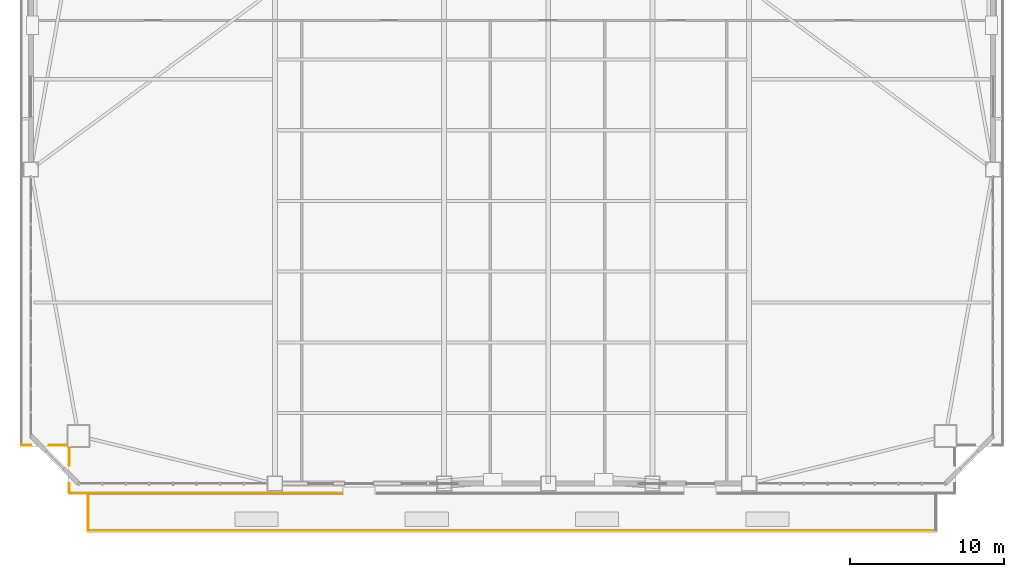
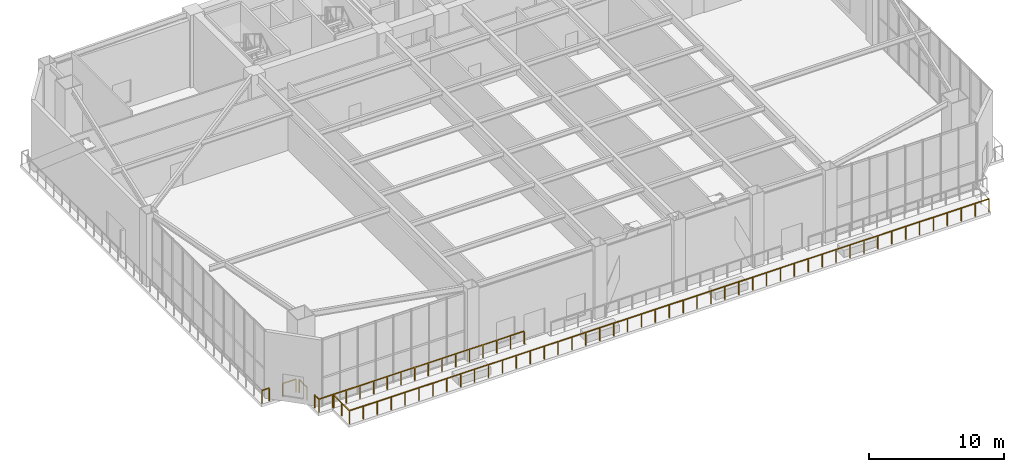
# One storey, part 18 of 22: 7 railings.
"""IFC4 building model written with IfcOpenShell, lengths in metres."""

from ifc_helpers import new_model, si_unit, direction, frame, origin, origin_2d, place, context, subcontext, project, spatial, rectangle, extrude, material, type_object, element, save


model = new_model("IFC4")

# Units and contexts
model_context = context("Model", 3, precision=1e-05, world=origin(), true_north=direction((0.0, 1.0)))
body_context = subcontext(model_context, "Body", "Model", "MODEL_VIEW")
ifc_project = project(units=[si_unit("LENGTHUNIT", "METRE"), si_unit("AREAUNIT", "SQUARE_METRE"), si_unit("VOLUMEUNIT", "CUBIC_METRE"), si_unit("PLANEANGLEUNIT", "RADIAN"), si_unit("MASSUNIT", "GRAM", prefix="KILO")], contexts=[model_context])

# Site, building, storey
site_placement = place(None, origin())
site = spatial("IfcSite", under=ifc_project, at=site_placement, CompositionType="ELEMENT")
building_placement = place(site_placement, origin())
building = spatial("IfcBuilding", under=site, at=building_placement, Name="Giltprow Tower", CompositionType="ELEMENT")
storey_placement = place(building_placement, frame((0.0, 0.0, 72.800048828125)))
storey = spatial("IfcBuildingStorey", under=building, at=storey_placement, Name="L18", CompositionType="ELEMENT", Elevation=72.800048828125)

# Railings
ifc_material = material(Name="Anodized bronze", Category="metal")
railing_type_1 = type_object("IfcRailingType", Name="RAIL-BALC-GUARD-1200", PredefinedType="BALUSTRADE", material=ifc_material)
railing_1_placement = place(storey_placement, frame((6.535888671875, 4.80908203125, 0.0)))
element("IfcRailing", 1, at=railing_1_placement, inside=storey, type_object=railing_type_1, Name="L18 Corner Apron Edge Balustrade 1", PredefinedType="BALUSTRADE", context=body_context, shape_type="SweptSolid", body=[
    extrude(rectangle(XDim=0.048095703125, YDim=0.048095703125, at=origin_2d()), frame((0.0, 0.0, 1.17578125), z_axis=(0.0, 1.0, 0.0), x_axis=(-1.0, 0.0, 0.0)), (0.0, 0.0, 1.0), 0.619873046875),
    extrude(rectangle(XDim=0.0419921875, YDim=0.0419921875, at=origin_2d()), origin(), (0.0, 0.0, 1.0), 1.15185546875),
    extrude(rectangle(XDim=0.0419921875, YDim=0.0419921875, at=origin_2d()), frame((0.0, 0.619873046875, 0.0)), (0.0, 0.0, 1.0), 1.15185546875),
])
railing_2_placement = place(storey_placement, frame((6.535888671875, 6.589111328125, 0.0)))
element("IfcRailing", 2, at=railing_2_placement, inside=storey, type_object=railing_type_1, Name="L18 Corner Apron Edge Balustrade 2", PredefinedType="BALUSTRADE", context=body_context, shape_type="SweptSolid", body=[
    extrude(rectangle(XDim=0.048095703125, YDim=0.048095703125, at=origin_2d()), frame((0.0, 0.0, 1.17578125), z_axis=(0.0, 1.0, 0.0), x_axis=(-1.0, 0.0, 0.0)), (0.0, 0.0, 1.0), 1.130859375),
    extrude(rectangle(XDim=0.0419921875, YDim=0.0419921875, at=origin_2d()), origin(), (0.0, 0.0, 1.0), 1.15185546875),
    extrude(rectangle(XDim=0.0419921875, YDim=0.0419921875, at=origin_2d()), frame((0.0, 1.130859375, 0.0)), (0.0, 0.0, 1.0), 1.15185546875),
])
railing_3_placement = place(storey_placement, frame((6.35107421875, 7.905029296875, 0.0)))
element("IfcRailing", 3, at=railing_3_placement, inside=storey, type_object=railing_type_1, Name="L18 Corner Apron Edge Balustrade 3", PredefinedType="BALUSTRADE", context=body_context, shape_type="SweptSolid", body=[
    extrude(rectangle(XDim=0.048095703125, YDim=0.048095703125, at=origin_2d()), frame((0.0, 0.0, 1.17578125), z_axis=(-1.0, 0.0, 0.0), x_axis=(0.0, -1.0, 0.0)), (0.0, 0.0, 1.0), 1.131103515625),
    extrude(rectangle(XDim=0.0419921875, YDim=0.0419921875, at=origin_2d()), origin(), (0.0, 0.0, 1.0), 1.15185546875),
    extrude(rectangle(XDim=0.0419921875, YDim=0.0419921875, at=origin_2d()), frame((-1.131103515625, 0.0, 0.0)), (0.0, 0.0, 1.0), 1.15185546875),
])
railing_4_placement = place(storey_placement, frame((4.06005859375, 7.905029296875, 0.0)))
element("IfcRailing", 4, at=railing_4_placement, inside=storey, type_object=railing_type_1, Name="L18 Corner Apron Edge Balustrade 4", PredefinedType="BALUSTRADE", context=body_context, shape_type="SweptSolid", body=[
    extrude(rectangle(XDim=0.048095703125, YDim=0.048095703125, at=origin_2d()), frame((0.0, 0.0, 1.17578125), z_axis=(-1.0, 0.0, 0.0), x_axis=(0.0, -1.0, 0.0)), (0.0, 0.0, 1.0), 0.6201171875),
    extrude(rectangle(XDim=0.0419921875, YDim=0.0419921875, at=origin_2d()), origin(), (0.0, 0.0, 1.0), 1.15185546875),
    extrude(rectangle(XDim=0.0419921875, YDim=0.0419921875, at=origin_2d()), frame((-0.6201171875, 0.0, 0.0)), (0.0, 0.0, 1.0), 1.15185546875),
])
railing_5_placement = place(storey_placement, frame((24.14990234375, 4.80908203125, 0.0)))
element("IfcRailing", 5, at=railing_5_placement, inside=storey, type_object=railing_type_1, Name="L18 Corner Apron Edge Balustrade 21", PredefinedType="BALUSTRADE", context=body_context, shape_type="SweptSolid", body=[
    extrude(rectangle(XDim=0.048095703125, YDim=0.048095703125, at=origin_2d()), frame((0.0, 0.0, 1.17578125), z_axis=(-1.0, 0.0, 0.0), x_axis=(0.0, -1.0, 0.0)), (0.0, 0.0, 1.0), 17.614013671875),
    extrude(rectangle(XDim=0.0419921875, YDim=0.0419921875, at=origin_2d()), origin(), (0.0, 0.0, 1.0), 1.15185546875),
    extrude(rectangle(XDim=0.0419921875, YDim=0.0419921875, at=origin_2d()), frame((-1.17431640625, 0.0, 0.0)), (0.0, 0.0, 1.0), 1.15185546875),
    extrude(rectangle(XDim=0.0419921875, YDim=0.0419921875, at=origin_2d()), frame((-2.3486328125, 0.0, 0.0)), (0.0, 0.0, 1.0), 1.15185546875),
    extrude(rectangle(XDim=0.0419921875, YDim=0.0419921875, at=origin_2d()), frame((-3.522705078125, 0.0, 0.0)), (0.0, 0.0, 1.0), 1.15185546875),
    extrude(rectangle(XDim=0.0419921875, YDim=0.0419921875, at=origin_2d()), frame((-4.697021484375, 0.0, 0.0)), (0.0, 0.0, 1.0), 1.15185546875),
    extrude(rectangle(XDim=0.0419921875, YDim=0.0419921875, at=origin_2d()), frame((-5.871337890625, 0.0, 0.0)), (0.0, 0.0, 1.0), 1.15185546875),
    extrude(rectangle(XDim=0.0419921875, YDim=0.0419921875, at=origin_2d()), frame((-7.045654296875, 0.0, 0.0)), (0.0, 0.0, 1.0), 1.15185546875),
    extrude(rectangle(XDim=0.0419921875, YDim=0.0419921875, at=origin_2d()), frame((-8.219970703125, 0.0, 0.0)), (0.0, 0.0, 1.0), 1.15185546875),
    extrude(rectangle(XDim=0.0419921875, YDim=0.0419921875, at=origin_2d()), frame((-9.39404296875, 0.0, 0.0)), (0.0, 0.0, 1.0), 1.15185546875),
    extrude(rectangle(XDim=0.0419921875, YDim=0.0419921875, at=origin_2d()), frame((-10.568359375, 0.0, 0.0)), (0.0, 0.0, 1.0), 1.15185546875),
    extrude(rectangle(XDim=0.0419921875, YDim=0.0419921875, at=origin_2d()), frame((-11.74267578125, 0.0, 0.0)), (0.0, 0.0, 1.0), 1.15185546875),
    extrude(rectangle(XDim=0.0419921875, YDim=0.0419921875, at=origin_2d()), frame((-12.9169921875, 0.0, 0.0)), (0.0, 0.0, 1.0), 1.15185546875),
    extrude(rectangle(XDim=0.0419921875, YDim=0.0419921875, at=origin_2d()), frame((-14.09130859375, 0.0, 0.0)), (0.0, 0.0, 1.0), 1.15185546875),
    extrude(rectangle(XDim=0.0419921875, YDim=0.0419921875, at=origin_2d()), frame((-15.265380859375, 0.0, 0.0)), (0.0, 0.0, 1.0), 1.15185546875),
    extrude(rectangle(XDim=0.0419921875, YDim=0.0419921875, at=origin_2d()), frame((-16.439697265625, 0.0, 0.0)), (0.0, 0.0, 1.0), 1.15185546875),
    extrude(rectangle(XDim=0.0419921875, YDim=0.0419921875, at=origin_2d()), frame((-17.614013671875, 0.0, 0.0)), (0.0, 0.0, 1.0), 1.15185546875),
])
railing_type_2 = type_object("IfcRailingType", Name="RAIL-TERR-BAL-1200", PredefinedType="BALUSTRADE", material=ifc_material)
railing_6_placement = place(storey_placement, frame((7.756103515625, 4.708984375, 0.0)))
element("IfcRailing", 6, at=railing_6_placement, inside=storey, type_object=railing_type_2, Name="L18 Sky Garden Guardrail Seg 1", PredefinedType="BALUSTRADE", context=body_context, shape_type="SweptSolid", body=[
    extrude(rectangle(XDim=0.048095703125, YDim=0.048095703125, at=origin_2d()), frame((0.0, 0.0, 1.17578125), z_axis=(0.0, -1.0, 0.0), x_axis=(1.0, 0.0, 0.0)), (0.0, 0.0, 1.0), 2.330078125),
    extrude(rectangle(XDim=0.0419921875, YDim=0.0419921875, at=origin_2d()), origin(), (0.0, 0.0, 1.0), 1.15185546875),
    extrude(rectangle(XDim=0.0419921875, YDim=0.0419921875, at=origin_2d()), frame((0.0, -1.1650390625, 0.0)), (0.0, 0.0, 1.0), 1.15185546875),
    extrude(rectangle(XDim=0.0419921875, YDim=0.0419921875, at=origin_2d()), frame((0.0, -2.330078125, 0.0)), (0.0, 0.0, 1.0), 1.15185546875),
])
railing_7_placement = place(storey_placement, frame((7.756103515625, 2.37890625, 0.0)))
element("IfcRailing", 7, at=railing_7_placement, inside=storey, type_object=railing_type_2, Name="L18 Sky Garden Guardrail Seg 2", PredefinedType="BALUSTRADE", context=body_context, shape_type="SweptSolid", body=[
    extrude(rectangle(XDim=0.048095703125, YDim=0.048095703125, at=origin_2d()), frame((0.0, 0.0, 1.17578125), z_axis=(1.0, 0.0, 0.0), x_axis=(0.0, 1.0, 0.0)), (0.0, 0.0, 1.0), 54.887939453125),
    extrude(rectangle(XDim=0.0419921875, YDim=0.0419921875, at=origin_2d()), origin(), (0.0, 0.0, 1.0), 1.15185546875),
    extrude(rectangle(XDim=0.0419921875, YDim=0.0419921875, at=origin_2d()), frame((1.193115234375, 0.0, 0.0)), (0.0, 0.0, 1.0), 1.15185546875),
    extrude(rectangle(XDim=0.0419921875, YDim=0.0419921875, at=origin_2d()), frame((2.386474609375, 0.0, 0.0)), (0.0, 0.0, 1.0), 1.15185546875),
    extrude(rectangle(XDim=0.0419921875, YDim=0.0419921875, at=origin_2d()), frame((3.57958984375, 0.0, 0.0)), (0.0, 0.0, 1.0), 1.15185546875),
    extrude(rectangle(XDim=0.0419921875, YDim=0.0419921875, at=origin_2d()), frame((4.77294921875, 0.0, 0.0)), (0.0, 0.0, 1.0), 1.15185546875),
    extrude(rectangle(XDim=0.0419921875, YDim=0.0419921875, at=origin_2d()), frame((5.966064453125, 0.0, 0.0)), (0.0, 0.0, 1.0), 1.15185546875),
    extrude(rectangle(XDim=0.0419921875, YDim=0.0419921875, at=origin_2d()), frame((7.1591796875, 0.0, 0.0)), (0.0, 0.0, 1.0), 1.15185546875),
    extrude(rectangle(XDim=0.0419921875, YDim=0.0419921875, at=origin_2d()), frame((8.3525390625, 0.0, 0.0)), (0.0, 0.0, 1.0), 1.15185546875),
    extrude(rectangle(XDim=0.0419921875, YDim=0.0419921875, at=origin_2d()), frame((9.545654296875, 0.0, 0.0)), (0.0, 0.0, 1.0), 1.15185546875),
    extrude(rectangle(XDim=0.0419921875, YDim=0.0419921875, at=origin_2d()), frame((10.739013671875, 0.0, 0.0)), (0.0, 0.0, 1.0), 1.15185546875),
    extrude(rectangle(XDim=0.0419921875, YDim=0.0419921875, at=origin_2d()), frame((11.93212890625, 0.0, 0.0)), (0.0, 0.0, 1.0), 1.15185546875),
    extrude(rectangle(XDim=0.0419921875, YDim=0.0419921875, at=origin_2d()), frame((13.12548828125, 0.0, 0.0)), (0.0, 0.0, 1.0), 1.15185546875),
    extrude(rectangle(XDim=0.0419921875, YDim=0.0419921875, at=origin_2d()), frame((14.318603515625, 0.0, 0.0)), (0.0, 0.0, 1.0), 1.15185546875),
    extrude(rectangle(XDim=0.0419921875, YDim=0.0419921875, at=origin_2d()), frame((15.51171875, 0.0, 0.0)), (0.0, 0.0, 1.0), 1.15185546875),
    extrude(rectangle(XDim=0.0419921875, YDim=0.0419921875, at=origin_2d()), frame((16.705078125, 0.0, 0.0)), (0.0, 0.0, 1.0), 1.15185546875),
    extrude(rectangle(XDim=0.0419921875, YDim=0.0419921875, at=origin_2d()), frame((17.898193359375, 0.0, 0.0)), (0.0, 0.0, 1.0), 1.15185546875),
    extrude(rectangle(XDim=0.0419921875, YDim=0.0419921875, at=origin_2d()), frame((19.091552734375, 0.0, 0.0)), (0.0, 0.0, 1.0), 1.15185546875),
    extrude(rectangle(XDim=0.0419921875, YDim=0.0419921875, at=origin_2d()), frame((20.28466796875, 0.0, 0.0)), (0.0, 0.0, 1.0), 1.15185546875),
    extrude(rectangle(XDim=0.0419921875, YDim=0.0419921875, at=origin_2d()), frame((21.477783203125, 0.0, 0.0)), (0.0, 0.0, 1.0), 1.15185546875),
    extrude(rectangle(XDim=0.0419921875, YDim=0.0419921875, at=origin_2d()), frame((22.671142578125, 0.0, 0.0)), (0.0, 0.0, 1.0), 1.15185546875),
    extrude(rectangle(XDim=0.0419921875, YDim=0.0419921875, at=origin_2d()), frame((23.8642578125, 0.0, 0.0)), (0.0, 0.0, 1.0), 1.15185546875),
    extrude(rectangle(XDim=0.0419921875, YDim=0.0419921875, at=origin_2d()), frame((25.0576171875, 0.0, 0.0)), (0.0, 0.0, 1.0), 1.15185546875),
    extrude(rectangle(XDim=0.0419921875, YDim=0.0419921875, at=origin_2d()), frame((26.250732421875, 0.0, 0.0)), (0.0, 0.0, 1.0), 1.15185546875),
    extrude(rectangle(XDim=0.0419921875, YDim=0.0419921875, at=origin_2d()), frame((27.44384765625, 0.0, 0.0)), (0.0, 0.0, 1.0), 1.15185546875),
    extrude(rectangle(XDim=0.0419921875, YDim=0.0419921875, at=origin_2d()), frame((28.63720703125, 0.0, 0.0)), (0.0, 0.0, 1.0), 1.15185546875),
    extrude(rectangle(XDim=0.0419921875, YDim=0.0419921875, at=origin_2d()), frame((29.830322265625, 0.0, 0.0)), (0.0, 0.0, 1.0), 1.15185546875),
    extrude(rectangle(XDim=0.0419921875, YDim=0.0419921875, at=origin_2d()), frame((31.023681640625, 0.0, 0.0)), (0.0, 0.0, 1.0), 1.15185546875),
    extrude(rectangle(XDim=0.0419921875, YDim=0.0419921875, at=origin_2d()), frame((32.216796875, 0.0, 0.0)), (0.0, 0.0, 1.0), 1.15185546875),
    extrude(rectangle(XDim=0.0419921875, YDim=0.0419921875, at=origin_2d()), frame((33.41015625, 0.0, 0.0)), (0.0, 0.0, 1.0), 1.15185546875),
    extrude(rectangle(XDim=0.0419921875, YDim=0.0419921875, at=origin_2d()), frame((34.603271484375, 0.0, 0.0)), (0.0, 0.0, 1.0), 1.15185546875),
    extrude(rectangle(XDim=0.0419921875, YDim=0.0419921875, at=origin_2d()), frame((35.79638671875, 0.0, 0.0)), (0.0, 0.0, 1.0), 1.15185546875),
    extrude(rectangle(XDim=0.0419921875, YDim=0.0419921875, at=origin_2d()), frame((36.98974609375, 0.0, 0.0)), (0.0, 0.0, 1.0), 1.15185546875),
    extrude(rectangle(XDim=0.0419921875, YDim=0.0419921875, at=origin_2d()), frame((38.182861328125, 0.0, 0.0)), (0.0, 0.0, 1.0), 1.15185546875),
    extrude(rectangle(XDim=0.0419921875, YDim=0.0419921875, at=origin_2d()), frame((39.376220703125, 0.0, 0.0)), (0.0, 0.0, 1.0), 1.15185546875),
    extrude(rectangle(XDim=0.0419921875, YDim=0.0419921875, at=origin_2d()), frame((40.5693359375, 0.0, 0.0)), (0.0, 0.0, 1.0), 1.15185546875),
    extrude(rectangle(XDim=0.0419921875, YDim=0.0419921875, at=origin_2d()), frame((41.762451171875, 0.0, 0.0)), (0.0, 0.0, 1.0), 1.15185546875),
    extrude(rectangle(XDim=0.0419921875, YDim=0.0419921875, at=origin_2d()), frame((42.955810546875, 0.0, 0.0)), (0.0, 0.0, 1.0), 1.15185546875),
    extrude(rectangle(XDim=0.0419921875, YDim=0.0419921875, at=origin_2d()), frame((44.14892578125, 0.0, 0.0)), (0.0, 0.0, 1.0), 1.15185546875),
    extrude(rectangle(XDim=0.0419921875, YDim=0.0419921875, at=origin_2d()), frame((45.34228515625, 0.0, 0.0)), (0.0, 0.0, 1.0), 1.15185546875),
    extrude(rectangle(XDim=0.0419921875, YDim=0.0419921875, at=origin_2d()), frame((46.535400390625, 0.0, 0.0)), (0.0, 0.0, 1.0), 1.15185546875),
    extrude(rectangle(XDim=0.0419921875, YDim=0.0419921875, at=origin_2d()), frame((47.728759765625, 0.0, 0.0)), (0.0, 0.0, 1.0), 1.15185546875),
    extrude(rectangle(XDim=0.0419921875, YDim=0.0419921875, at=origin_2d()), frame((48.921875, 0.0, 0.0)), (0.0, 0.0, 1.0), 1.15185546875),
    extrude(rectangle(XDim=0.0419921875, YDim=0.0419921875, at=origin_2d()), frame((50.114990234375, 0.0, 0.0)), (0.0, 0.0, 1.0), 1.15185546875),
    extrude(rectangle(XDim=0.0419921875, YDim=0.0419921875, at=origin_2d()), frame((51.308349609375, 0.0, 0.0)), (0.0, 0.0, 1.0), 1.15185546875),
    extrude(rectangle(XDim=0.0419921875, YDim=0.0419921875, at=origin_2d()), frame((52.50146484375, 0.0, 0.0)), (0.0, 0.0, 1.0), 1.15185546875),
    extrude(rectangle(XDim=0.0419921875, YDim=0.0419921875, at=origin_2d()), frame((53.69482421875, 0.0, 0.0)), (0.0, 0.0, 1.0), 1.15185546875),
    extrude(rectangle(XDim=0.0419921875, YDim=0.0419921875, at=origin_2d()), frame((54.887939453125, 0.0, 0.0)), (0.0, 0.0, 1.0), 1.15185546875),
])

save(model, "model.ifc")
